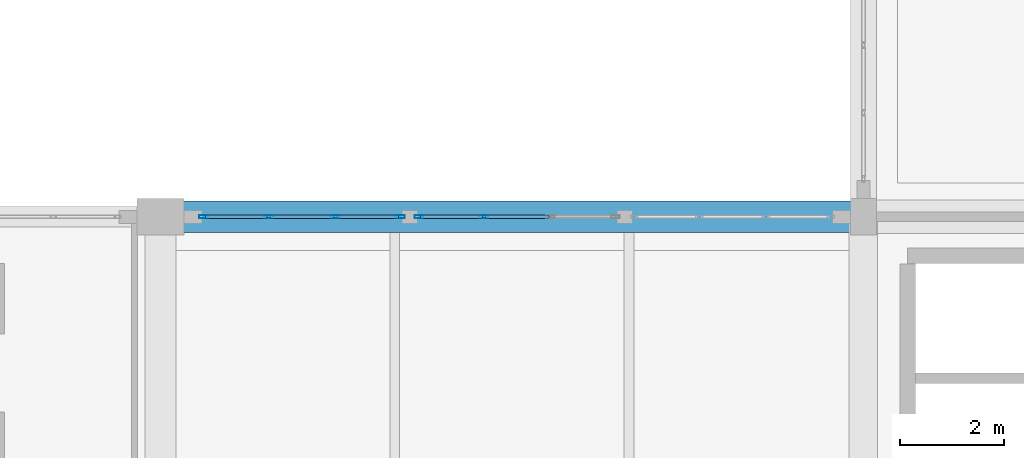
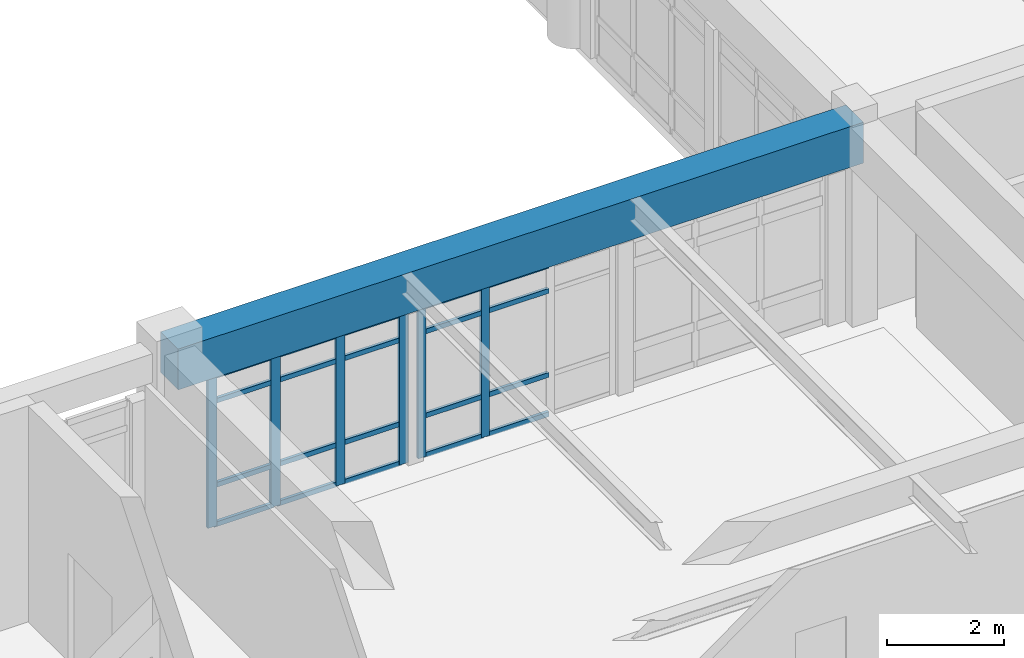
# One storey, part 14 of 80: 26 members, 1 beam, 2 elements without a shape of their own.
"""IFC4 building model written with IfcOpenShell, lengths in metres."""

from ifc_helpers import new_model, si_unit, direction, frame, origin, origin_2d, place, context, subcontext, project, spatial, rectangle, hollow_rectangle, extrude, material, layer, layer_set, material_profile, profile_set, type_object, element, aggregate, save


model = new_model("IFC4")

# Units and contexts
model_context = context("Model", 3, precision=1e-05, world=origin(), true_north=direction((0.0, 1.0)))
body_context = subcontext(model_context, "Body", "Model", "MODEL_VIEW")
ifc_project = project(units=[si_unit("LENGTHUNIT", "METRE"), si_unit("AREAUNIT", "SQUARE_METRE"), si_unit("VOLUMEUNIT", "CUBIC_METRE"), si_unit("PLANEANGLEUNIT", "RADIAN"), si_unit("MASSUNIT", "GRAM", prefix="KILO")], contexts=[model_context])

# Site, building, storey
site_placement = place(None, origin())
site = spatial("IfcSite", under=ifc_project, at=site_placement, CompositionType="ELEMENT")
building_placement = place(site_placement, origin())
building = spatial("IfcBuilding", under=site, at=building_placement, Name="Fikremerkos Civic Library", CompositionType="ELEMENT")
storey_placement = place(building_placement, frame((0.0, 0.0, 9.89990234375)))
storey = spatial("IfcBuildingStorey", under=building, at=storey_placement, Name="L02", CompositionType="ELEMENT", Elevation=9.89990234375)

# Curtain wall, members
ifc_material_1 = material(Name="Anodized aluminium Frame", Category="aluminium")
ifc_layer_1 = layer(ifc_material_1, 0.159912109375, Name="Anodized aluminium Frame")
ifc_layer_set_1 = layer_set([ifc_layer_1], Name="Anodized aluminium Frame")
curtain_wall_type_1 = type_object("IfcCurtainWallType", Name="Unitised curtain wall CW-05 3800x4100", PredefinedType="USERDEFINED", material=ifc_layer_set_1)
curtain_wall_1_placement = place(storey_placement, origin())
curtain_wall_1 = element("IfcCurtainWall", 1, at=curtain_wall_1_placement, inside=storey, type_object=curtain_wall_type_1, Name="Unitised curtain wall CW-05 L02 #149", ObjectType="UNITISED CURTAIN WALL", PredefinedType="USERDEFINED")
ifc_material_profile_1 = material_profile(ifc_material_1, hollow_rectangle(XDim=0.06494140625, YDim=0.179931640625, WallThickness=0.00439453125, at=origin_2d()), Name="ALU 180x65x4.5")
ifc_profile_set_1 = profile_set([ifc_material_profile_1], Name="Anodized aluminium Frame")
member_type_1 = type_object("IfcMemberType", Name="Curtain mullion CWM-01 ALU 180x65x4.5", PredefinedType="MULLION", material=ifc_profile_set_1)
member_1_placement = place(storey_placement, frame((33.530517578125, 31.199951171875, 0.0), z_axis=(0.0, 0.0, 1.0), x_axis=(0.0, 1.0, 0.0)))
member_1 = element("IfcMember", 2, at=member_1_placement, type_object=member_type_1, Name="CW-05 mullion 1", PredefinedType="MULLION", context=body_context, shape_type="SweptSolid", body=[
    extrude(hollow_rectangle(XDim=0.06494140625, YDim=0.179931640625, WallThickness=0.00439453125, at=origin_2d()), origin(), (0.0, 0.0, 1.0), 3.150146484375),
])
member_2_placement = place(storey_placement, frame((34.776123046875, 31.199951171875, 0.0), z_axis=(0.0, 0.0, 1.0), x_axis=(0.0, 1.0, 0.0)))
member_2 = element("IfcMember", 3, at=member_2_placement, type_object=member_type_1, Name="CW-05 mullion 2", PredefinedType="MULLION", context=body_context, shape_type="SweptSolid", body=[
    extrude(hollow_rectangle(XDim=0.06494140625, YDim=0.179931640625, WallThickness=0.00439453125, at=origin_2d()), origin(), (0.0, 0.0, 1.0), 3.150146484375),
])
member_3_placement = place(storey_placement, frame((36.054443359375, 31.199951171875, 0.0), z_axis=(0.0, 0.0, 1.0), x_axis=(0.0, 1.0, 0.0)))
member_3 = element("IfcMember", 4, at=member_3_placement, type_object=member_type_1, Name="CW-05 mullion 3", PredefinedType="MULLION", context=body_context, shape_type="SweptSolid", body=[
    extrude(hollow_rectangle(XDim=0.06494140625, YDim=0.179931640625, WallThickness=0.00439453125, at=origin_2d()), origin(), (0.0, 0.0, 1.0), 3.150146484375),
])
member_4_placement = place(storey_placement, frame((37.300048828125, 31.199951171875, 0.0), z_axis=(0.0, 0.0, 1.0), x_axis=(0.0, 1.0, 0.0)))
member_4 = element("IfcMember", 5, at=member_4_placement, type_object=member_type_1, Name="CW-05 mullion 4", PredefinedType="MULLION", context=body_context, shape_type="SweptSolid", body=[
    extrude(hollow_rectangle(XDim=0.06494140625, YDim=0.179931640625, WallThickness=0.00439453125, at=origin_2d()), origin(), (0.0, 0.0, 1.0), 3.150146484375),
])

ifc_layer_2 = layer(ifc_material_1, 0.159912109375, Name="Anodized aluminium Frame")
ifc_layer_set_2 = layer_set([ifc_layer_2], Name="Anodized aluminium Frame")
curtain_wall_type_2 = type_object("IfcCurtainWallType", Name="Unitised curtain wall CW-06 4200x4100", PredefinedType="USERDEFINED", material=ifc_layer_set_2)
curtain_wall_2_placement = place(storey_placement, origin())
curtain_wall_2 = element("IfcCurtainWall", 6, at=curtain_wall_2_placement, inside=storey, type_object=curtain_wall_type_2, Name="Unitised curtain wall CW-06 L02 #150", ObjectType="UNITISED CURTAIN WALL", PredefinedType="USERDEFINED")
ifc_material_profile_2 = material_profile(ifc_material_1, hollow_rectangle(XDim=0.06005859375, YDim=0.159912109375, WallThickness=0.00390625, at=origin_2d()), Name="ALU 160x60x4")
ifc_profile_set_2 = profile_set([ifc_material_profile_2], Name="Anodized aluminium Frame")
member_type_2 = type_object("IfcMemberType", Name="Curtain mullion CWM-02 ALU 160x60x4", PredefinedType="MULLION", material=ifc_profile_set_2)
member_5_placement = place(storey_placement, frame((37.66259765625, 31.199951171875, 0.0), z_axis=(0.0, 0.0, 1.0), x_axis=(0.0, 1.0, 0.0)))
member_5 = element("IfcMember", 7, at=member_5_placement, type_object=member_type_2, Name="CW-06 mullion 1", PredefinedType="MULLION", context=body_context, shape_type="SweptSolid", body=[
    extrude(hollow_rectangle(XDim=0.06005859375, YDim=0.159912109375, WallThickness=0.00390625, at=origin_2d()), origin(), (0.0, 0.0, 1.0), 3.150146484375),
])
member_6_placement = place(storey_placement, frame((38.910888671875, 31.199951171875, 0.0), z_axis=(0.0, 0.0, 1.0), x_axis=(0.0, 1.0, 0.0)))
member_6 = element("IfcMember", 8, at=member_6_placement, type_object=member_type_2, Name="CW-06 mullion 2", PredefinedType="MULLION", context=body_context, shape_type="SweptSolid", body=[
    extrude(hollow_rectangle(XDim=0.06005859375, YDim=0.159912109375, WallThickness=0.00390625, at=origin_2d()), origin(), (0.0, 0.0, 1.0), 3.150146484375),
])

# Member
ifc_material_profile_3 = material_profile(ifc_material_1, hollow_rectangle(XDim=0.06005859375, YDim=0.10009765625, WallThickness=0.00390625, at=origin_2d()), Name="ALU 100x60x4")
ifc_profile_set_3 = profile_set([ifc_material_profile_3], Name="Anodized aluminium Frame")
member_type_3 = type_object("IfcMemberType", Name="Curtain transom CWT-03 ALU 100x60x4", PredefinedType="USERDEFINED", material=ifc_profile_set_3)
member_7_placement = place(storey_placement, frame((33.56298828125, 31.199951171875, 0.030029296875), z_axis=(1.0, 0.0, 0.0), x_axis=(0.0, 1.0, 0.0)))
member_7 = element("IfcMember", 9, at=member_7_placement, type_object=member_type_3, Name="CW-05 transom 1.1", ObjectType="TRANSOM", PredefinedType="USERDEFINED", context=body_context, shape_type="SweptSolid", body=[
    extrude(hollow_rectangle(XDim=0.06005859375, YDim=0.10009765625, WallThickness=0.00390625, at=origin_2d()), origin(), (0.0, 0.0, 1.0), 1.1806640625),
])

member_8_placement = place(storey_placement, frame((33.56298828125, 31.199951171875, 0.85009765625), z_axis=(1.0, 0.0, 0.0), x_axis=(0.0, 1.0, 0.0)))
member_8 = element("IfcMember", 10, at=member_8_placement, type_object=member_type_3, Name="CW-05 transom 1.2", ObjectType="TRANSOM", PredefinedType="USERDEFINED", context=body_context, shape_type="SweptSolid", body=[
    extrude(hollow_rectangle(XDim=0.06005859375, YDim=0.10009765625, WallThickness=0.00390625, at=origin_2d()), origin(), (0.0, 0.0, 1.0), 1.1806640625),
])

member_9_placement = place(storey_placement, frame((33.56298828125, 31.199951171875, 2.60009765625), z_axis=(1.0, 0.0, 0.0), x_axis=(0.0, 1.0, 0.0)))
member_9 = element("IfcMember", 11, at=member_9_placement, type_object=member_type_3, Name="CW-05 transom 1.3", ObjectType="TRANSOM", PredefinedType="USERDEFINED", context=body_context, shape_type="SweptSolid", body=[
    extrude(hollow_rectangle(XDim=0.06005859375, YDim=0.10009765625, WallThickness=0.00390625, at=origin_2d()), origin(), (0.0, 0.0, 1.0), 1.1806640625),
])

member_10_placement = place(storey_placement, frame((33.56298828125, 31.199951171875, 3.1201171875), z_axis=(1.0, 0.0, 0.0), x_axis=(0.0, 1.0, 0.0)))
member_10 = element("IfcMember", 12, at=member_10_placement, type_object=member_type_3, Name="CW-05 transom 1.4", ObjectType="TRANSOM", PredefinedType="USERDEFINED", context=body_context, shape_type="SweptSolid", body=[
    extrude(hollow_rectangle(XDim=0.06005859375, YDim=0.10009765625, WallThickness=0.00390625, at=origin_2d()), origin(), (0.0, 0.0, 1.0), 1.1806640625),
])

member_11_placement = place(storey_placement, frame((34.808837890625, 31.199951171875, 0.030029296875), z_axis=(1.0, 0.0, 0.0), x_axis=(0.0, 1.0, 0.0)))
member_11 = element("IfcMember", 13, at=member_11_placement, type_object=member_type_3, Name="CW-05 transom 2.1", ObjectType="TRANSOM", PredefinedType="USERDEFINED", context=body_context, shape_type="SweptSolid", body=[
    extrude(hollow_rectangle(XDim=0.06005859375, YDim=0.10009765625, WallThickness=0.00390625, at=origin_2d()), origin(), (0.0, 0.0, 1.0), 1.213134765625),
])

member_12_placement = place(storey_placement, frame((34.808837890625, 31.199951171875, 0.85009765625), z_axis=(1.0, 0.0, 0.0), x_axis=(0.0, 1.0, 0.0)))
member_12 = element("IfcMember", 14, at=member_12_placement, type_object=member_type_3, Name="CW-05 transom 2.2", ObjectType="TRANSOM", PredefinedType="USERDEFINED", context=body_context, shape_type="SweptSolid", body=[
    extrude(hollow_rectangle(XDim=0.06005859375, YDim=0.10009765625, WallThickness=0.00390625, at=origin_2d()), origin(), (0.0, 0.0, 1.0), 1.213134765625),
])

member_13_placement = place(storey_placement, frame((34.808837890625, 31.199951171875, 2.60009765625), z_axis=(1.0, 0.0, 0.0), x_axis=(0.0, 1.0, 0.0)))
member_13 = element("IfcMember", 15, at=member_13_placement, type_object=member_type_3, Name="CW-05 transom 2.3", ObjectType="TRANSOM", PredefinedType="USERDEFINED", context=body_context, shape_type="SweptSolid", body=[
    extrude(hollow_rectangle(XDim=0.06005859375, YDim=0.10009765625, WallThickness=0.00390625, at=origin_2d()), origin(), (0.0, 0.0, 1.0), 1.213134765625),
])

member_14_placement = place(storey_placement, frame((34.808837890625, 31.199951171875, 3.1201171875), z_axis=(1.0, 0.0, 0.0), x_axis=(0.0, 1.0, 0.0)))
member_14 = element("IfcMember", 16, at=member_14_placement, type_object=member_type_3, Name="CW-05 transom 2.4", ObjectType="TRANSOM", PredefinedType="USERDEFINED", context=body_context, shape_type="SweptSolid", body=[
    extrude(hollow_rectangle(XDim=0.06005859375, YDim=0.10009765625, WallThickness=0.00390625, at=origin_2d()), origin(), (0.0, 0.0, 1.0), 1.213134765625),
])

member_15_placement = place(storey_placement, frame((36.0869140625, 31.199951171875, 0.030029296875), z_axis=(1.0, 0.0, 0.0), x_axis=(0.0, 1.0, 0.0)))
member_15 = element("IfcMember", 17, at=member_15_placement, type_object=member_type_3, Name="CW-05 transom 3.1", ObjectType="TRANSOM", PredefinedType="USERDEFINED", context=body_context, shape_type="SweptSolid", body=[
    extrude(hollow_rectangle(XDim=0.06005859375, YDim=0.10009765625, WallThickness=0.00390625, at=origin_2d()), origin(), (0.0, 0.0, 1.0), 1.1806640625),
])

member_16_placement = place(storey_placement, frame((36.0869140625, 31.199951171875, 0.85009765625), z_axis=(1.0, 0.0, 0.0), x_axis=(0.0, 1.0, 0.0)))
member_16 = element("IfcMember", 18, at=member_16_placement, type_object=member_type_3, Name="CW-05 transom 3.2", ObjectType="TRANSOM", PredefinedType="USERDEFINED", context=body_context, shape_type="SweptSolid", body=[
    extrude(hollow_rectangle(XDim=0.06005859375, YDim=0.10009765625, WallThickness=0.00390625, at=origin_2d()), origin(), (0.0, 0.0, 1.0), 1.1806640625),
])

member_17_placement = place(storey_placement, frame((36.0869140625, 31.199951171875, 2.60009765625), z_axis=(1.0, 0.0, 0.0), x_axis=(0.0, 1.0, 0.0)))
member_17 = element("IfcMember", 19, at=member_17_placement, type_object=member_type_3, Name="CW-05 transom 3.3", ObjectType="TRANSOM", PredefinedType="USERDEFINED", context=body_context, shape_type="SweptSolid", body=[
    extrude(hollow_rectangle(XDim=0.06005859375, YDim=0.10009765625, WallThickness=0.00390625, at=origin_2d()), origin(), (0.0, 0.0, 1.0), 1.1806640625),
])

member_18_placement = place(storey_placement, frame((36.0869140625, 31.199951171875, 3.1201171875), z_axis=(1.0, 0.0, 0.0), x_axis=(0.0, 1.0, 0.0)))
member_18 = element("IfcMember", 20, at=member_18_placement, type_object=member_type_3, Name="CW-05 transom 3.4", ObjectType="TRANSOM", PredefinedType="USERDEFINED", context=body_context, shape_type="SweptSolid", body=[
    extrude(hollow_rectangle(XDim=0.06005859375, YDim=0.10009765625, WallThickness=0.00390625, at=origin_2d()), origin(), (0.0, 0.0, 1.0), 1.1806640625),
])

aggregate(curtain_wall_1, [member_1, member_2, member_3, member_4, member_7, member_8, member_9, member_10, member_11, member_12, member_13, member_14, member_15, member_16, member_17, member_18])

member_19_placement = place(storey_placement, frame((37.692626953125, 31.199951171875, 0.030029296875), z_axis=(1.0, 0.0, 0.0), x_axis=(0.0, 1.0, 0.0)))
member_19 = element("IfcMember", 21, at=member_19_placement, type_object=member_type_3, Name="CW-06 transom 1.1", ObjectType="TRANSOM", PredefinedType="USERDEFINED", context=body_context, shape_type="SweptSolid", body=[
    extrude(hollow_rectangle(XDim=0.06005859375, YDim=0.10009765625, WallThickness=0.00390625, at=origin_2d()), origin(), (0.0, 0.0, 1.0), 1.188232421875),
])

member_20_placement = place(storey_placement, frame((37.692626953125, 31.199951171875, 0.85009765625), z_axis=(1.0, 0.0, 0.0), x_axis=(0.0, 1.0, 0.0)))
member_20 = element("IfcMember", 22, at=member_20_placement, type_object=member_type_3, Name="CW-06 transom 1.2", ObjectType="TRANSOM", PredefinedType="USERDEFINED", context=body_context, shape_type="SweptSolid", body=[
    extrude(hollow_rectangle(XDim=0.06005859375, YDim=0.10009765625, WallThickness=0.00390625, at=origin_2d()), origin(), (0.0, 0.0, 1.0), 1.188232421875),
])

member_21_placement = place(storey_placement, frame((37.692626953125, 31.199951171875, 2.60009765625), z_axis=(1.0, 0.0, 0.0), x_axis=(0.0, 1.0, 0.0)))
member_21 = element("IfcMember", 23, at=member_21_placement, type_object=member_type_3, Name="CW-06 transom 1.3", ObjectType="TRANSOM", PredefinedType="USERDEFINED", context=body_context, shape_type="SweptSolid", body=[
    extrude(hollow_rectangle(XDim=0.06005859375, YDim=0.10009765625, WallThickness=0.00390625, at=origin_2d()), origin(), (0.0, 0.0, 1.0), 1.188232421875),
])

member_22_placement = place(storey_placement, frame((37.692626953125, 31.199951171875, 3.1201171875), z_axis=(1.0, 0.0, 0.0), x_axis=(0.0, 1.0, 0.0)))
member_22 = element("IfcMember", 24, at=member_22_placement, type_object=member_type_3, Name="CW-06 transom 1.4", ObjectType="TRANSOM", PredefinedType="USERDEFINED", context=body_context, shape_type="SweptSolid", body=[
    extrude(hollow_rectangle(XDim=0.06005859375, YDim=0.10009765625, WallThickness=0.00390625, at=origin_2d()), origin(), (0.0, 0.0, 1.0), 1.188232421875),
])

member_23_placement = place(storey_placement, frame((38.94091796875, 31.199951171875, 0.030029296875), z_axis=(1.0, 0.0, 0.0), x_axis=(0.0, 1.0, 0.0)))
member_23 = element("IfcMember", 25, at=member_23_placement, type_object=member_type_3, Name="CW-06 transom 2.1", ObjectType="TRANSOM", PredefinedType="USERDEFINED", context=body_context, shape_type="SweptSolid", body=[
    extrude(hollow_rectangle(XDim=0.06005859375, YDim=0.10009765625, WallThickness=0.00390625, at=origin_2d()), origin(), (0.0, 0.0, 1.0), 1.21826171875),
])

member_24_placement = place(storey_placement, frame((38.94091796875, 31.199951171875, 0.85009765625), z_axis=(1.0, 0.0, 0.0), x_axis=(0.0, 1.0, 0.0)))
member_24 = element("IfcMember", 26, at=member_24_placement, type_object=member_type_3, Name="CW-06 transom 2.2", ObjectType="TRANSOM", PredefinedType="USERDEFINED", context=body_context, shape_type="SweptSolid", body=[
    extrude(hollow_rectangle(XDim=0.06005859375, YDim=0.10009765625, WallThickness=0.00390625, at=origin_2d()), origin(), (0.0, 0.0, 1.0), 1.21826171875),
])

member_25_placement = place(storey_placement, frame((38.94091796875, 31.199951171875, 2.60009765625), z_axis=(1.0, 0.0, 0.0), x_axis=(0.0, 1.0, 0.0)))
member_25 = element("IfcMember", 27, at=member_25_placement, type_object=member_type_3, Name="CW-06 transom 2.3", ObjectType="TRANSOM", PredefinedType="USERDEFINED", context=body_context, shape_type="SweptSolid", body=[
    extrude(hollow_rectangle(XDim=0.06005859375, YDim=0.10009765625, WallThickness=0.00390625, at=origin_2d()), origin(), (0.0, 0.0, 1.0), 1.21826171875),
])

member_26_placement = place(storey_placement, frame((38.94091796875, 31.199951171875, 3.1201171875), z_axis=(1.0, 0.0, 0.0), x_axis=(0.0, 1.0, 0.0)))
member_26 = element("IfcMember", 28, at=member_26_placement, type_object=member_type_3, Name="CW-06 transom 2.4", ObjectType="TRANSOM", PredefinedType="USERDEFINED", context=body_context, shape_type="SweptSolid", body=[
    extrude(hollow_rectangle(XDim=0.06005859375, YDim=0.10009765625, WallThickness=0.00390625, at=origin_2d()), origin(), (0.0, 0.0, 1.0), 1.21826171875),
])

aggregate(curtain_wall_2, [member_5, member_6, member_19, member_20, member_21, member_22, member_23, member_24, member_25, member_26])

# Beam
ifc_material_2 = material(Name="Concrete C40/50", Category="concrete")
ifc_material_profile_4 = material_profile(ifc_material_2, rectangle(XDim=0.60009765625, YDim=0.85009765625, at=origin_2d()), Name="RC 600x850")
ifc_profile_set_4 = profile_set([ifc_material_profile_4], Name="Concrete C40/50")
beam_type = type_object("IfcBeamType", Name="Primary girder BM-24 RC 600x850", PredefinedType="BEAM", material=ifc_profile_set_4)
beam_placement = place(storey_placement, frame((32.699951171875, 31.199951171875, 3.735107421875), z_axis=(1.0, 0.0, 0.0), x_axis=(0.0, 1.0, 0.0)))
element("IfcBeam", 29, at=beam_placement, inside=storey, type_object=beam_type, Name="Primary girder BM-24 L02 grid G", PredefinedType="BEAM", context=body_context, shape_type="SweptSolid", body=[
    extrude(rectangle(XDim=0.60009765625, YDim=0.85009765625, at=origin_2d()), origin(), (0.0, 0.0, 1.0), 13.5),
])

save(model, "model.ifc")
